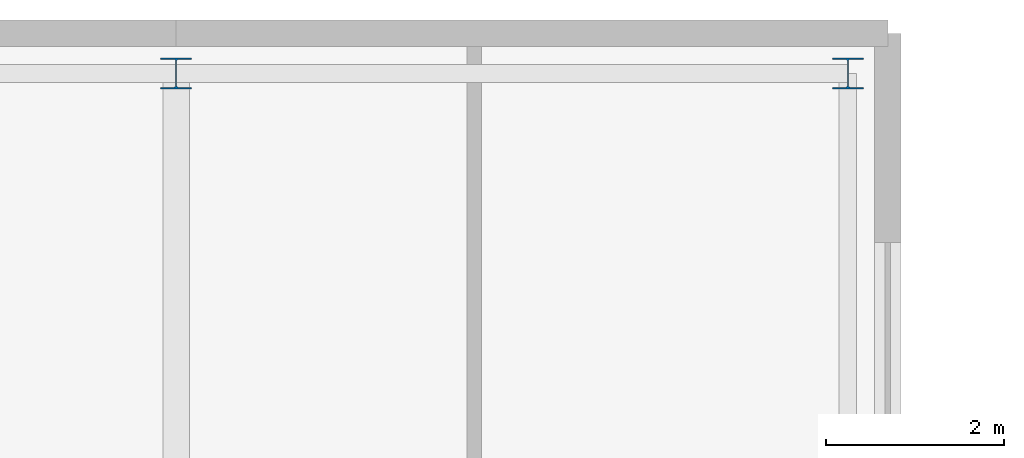
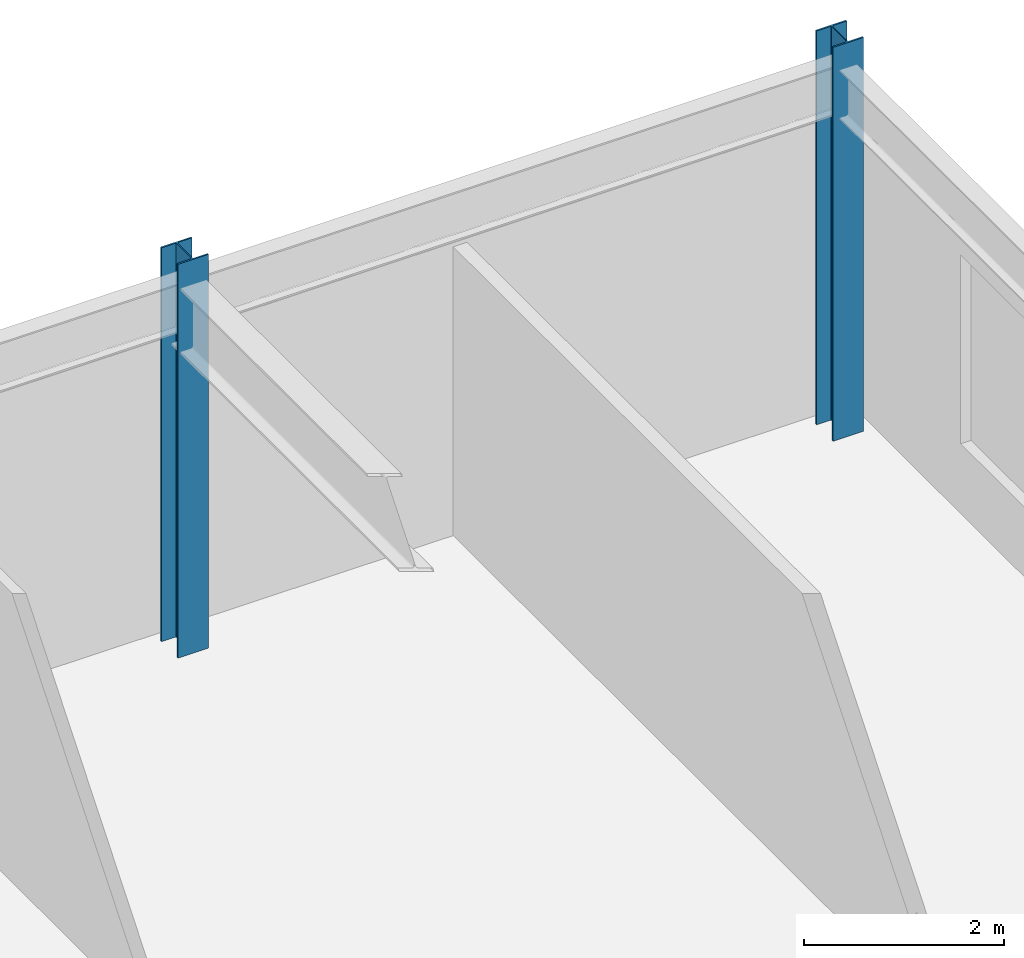
# One storey, part 4 of 22: 2 columns.
"""IFC4 building model written with IfcOpenShell, lengths in metres."""

from ifc_helpers import new_model, si_unit, direction, frame, origin, origin_2d, place, context, subcontext, project, spatial, i_section, extrude, material, material_profile, profile_set, type_object, element, save


model = new_model("IFC4")

# Units and contexts
model_context = context("Model", 3, precision=1e-05, world=origin(), true_north=direction((0.0, 1.0)))
body_context = subcontext(model_context, "Body", "Model", "MODEL_VIEW")
ifc_project = project(units=[si_unit("LENGTHUNIT", "METRE"), si_unit("AREAUNIT", "SQUARE_METRE"), si_unit("VOLUMEUNIT", "CUBIC_METRE"), si_unit("PLANEANGLEUNIT", "RADIAN"), si_unit("MASSUNIT", "GRAM", prefix="KILO")], contexts=[model_context])

# Site, building, storey
site_placement = place(None, origin())
site = spatial("IfcSite", under=ifc_project, at=site_placement, CompositionType="ELEMENT")
building_placement = place(site_placement, origin())
building = spatial("IfcBuilding", under=site, at=building_placement, Name="Veldorina Hangang Commons", CompositionType="ELEMENT")
storey_placement = place(building_placement, frame((0.0, 0.0, 14.800048828125)))
storey = spatial("IfcBuildingStorey", under=building, at=storey_placement, Name="L03", CompositionType="ELEMENT", Elevation=14.800048828125)

# Columns
ifc_material = material(Name="Steel SM420-TMC", Category="steel")
ifc_material_profile = material_profile(ifc_material, i_section(OverallWidth=0.35009765625, OverallDepth=0.35009765625, WebThickness=0.011962890625, FlangeThickness=0.01904296875, FilletRadius=0.01611328125, at=origin_2d()), Name="H-350x350x12x19")
ifc_profile_set = profile_set([ifc_material_profile], Name="Steel SM420-TMC")
column_type = type_object("IfcColumnType", Name="COL-H350", PredefinedType="COLUMN", material=ifc_profile_set)
for number, where, z_axis, x_axis, name in (
    (1, (52.0, 44.550048828125, 0.0), (0.0, 0.0, 1.0), (1.0, 0.0, 0.0), "L03 structural column N6"),
    (2, (59.550048828125, 44.550048828125, 0.0), (0.0, 0.0, 1.0), (1.0, 0.0, 0.0), "L03 structural column N7"),
):
    element("IfcColumn", number, at=place(storey_placement, frame(where, z_axis=z_axis, x_axis=x_axis)), inside=storey, type_object=column_type, Name=name, PredefinedType="COLUMN", context=body_context, shape_type="SweptSolid", body=[
        extrude(i_section(OverallWidth=0.35009765625, OverallDepth=0.35009765625, WebThickness=0.011962890625, FlangeThickness=0.01904296875, FilletRadius=0.01611328125, at=origin_2d()), origin(), (0.0, 0.0, 1.0), 4.800048828125),
    ])

save(model, "model.ifc")
